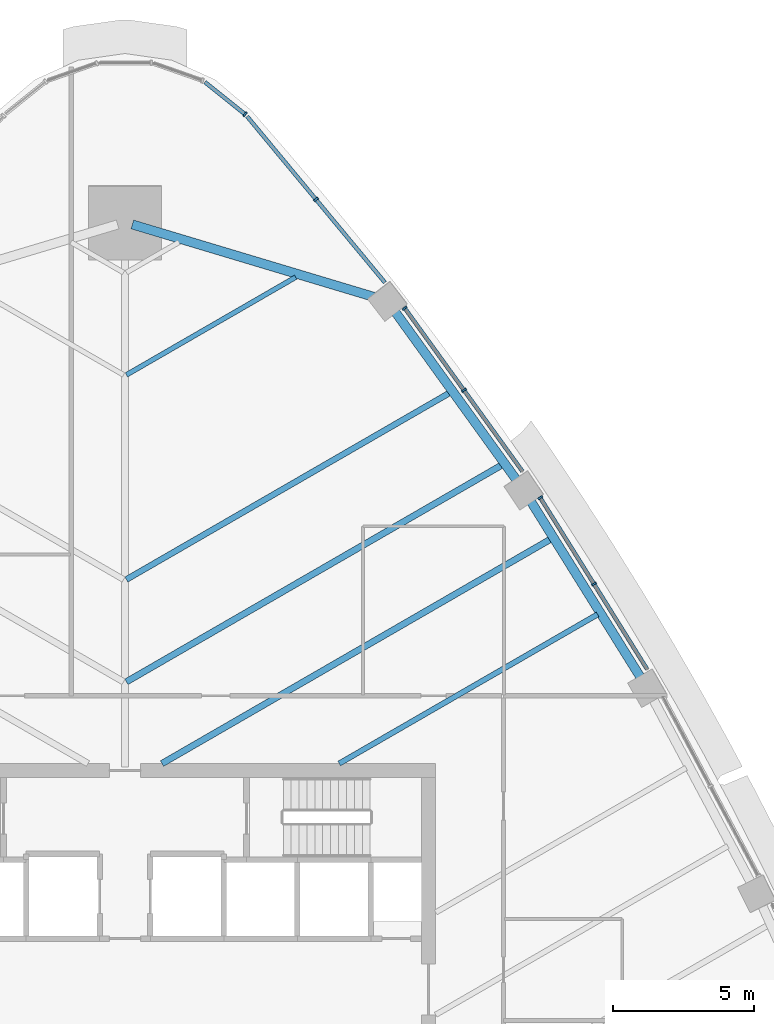
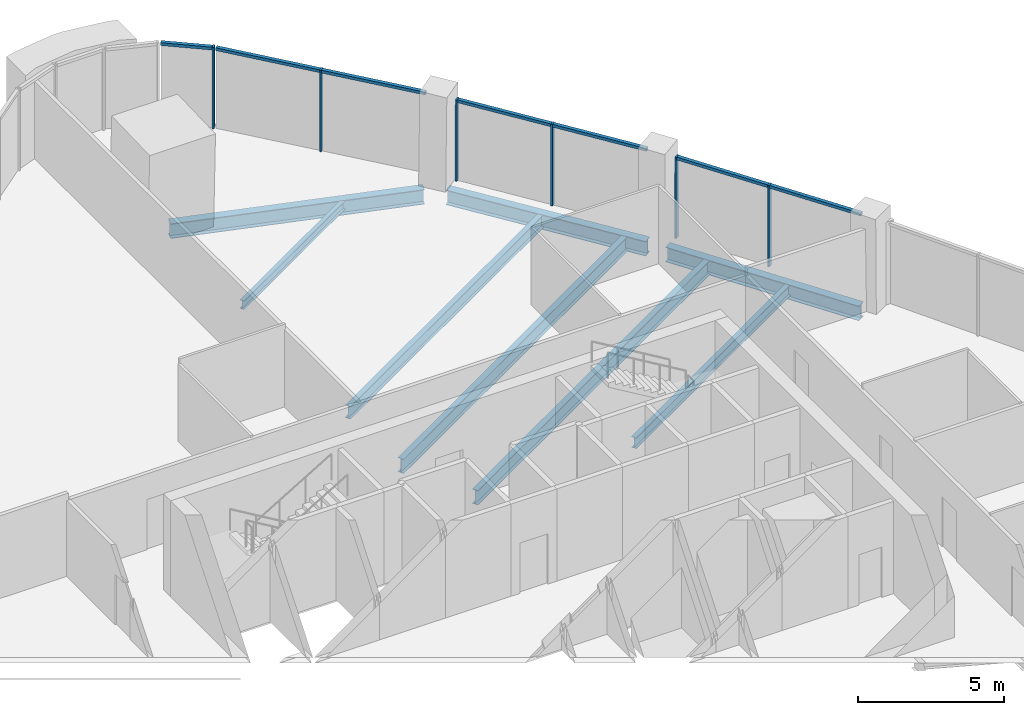
# One storey, part 7 of 16: 13 members, 8 beams, 4 elements without a shape of their own.
"""IFC4 building model written with IfcOpenShell, lengths in metres."""

from ifc_helpers import new_model, si_unit, direction, frame, origin, origin_2d, place, context, subcontext, project, spatial, rectangle, i_section, extrude, material, layer, layer_set, material_profile, profile_set, type_object, element, aggregate, save


model = new_model("IFC4")

# Units and contexts
model_context = context("Model", 3, precision=1e-05, world=origin(), true_north=direction((0.0, 1.0)))
body_context = subcontext(model_context, "Body", "Model", "MODEL_VIEW")
ifc_project = project(units=[si_unit("LENGTHUNIT", "METRE"), si_unit("AREAUNIT", "SQUARE_METRE"), si_unit("VOLUMEUNIT", "CUBIC_METRE"), si_unit("PLANEANGLEUNIT", "RADIAN"), si_unit("MASSUNIT", "GRAM", prefix="KILO")], contexts=[model_context])

# Site, building, storey
site_placement = place(None, origin())
site = spatial("IfcSite", under=ifc_project, at=site_placement, CompositionType="ELEMENT")
building_placement = place(site_placement, origin())
building = spatial("IfcBuilding", under=site, at=building_placement, Name="Sierra Prisma Convention Tower", CompositionType="ELEMENT")
storey_placement = place(building_placement, frame((0.0, 0.0, 181.800048828125)))
storey = spatial("IfcBuildingStorey", under=building, at=storey_placement, Name="L40", CompositionType="ELEMENT", Elevation=181.800048828125)

# Curtain wall, members
ifc_material_1 = material(Name="Aluminium and glass curtain wall", Category="aluminium")
ifc_layer = layer(ifc_material_1, 0.179931640625)
ifc_layer_set = layer_set([ifc_layer], Name="CW-1 Plain shaft curtain wall")
curtain_wall_type = type_object("IfcCurtainWallType", Name="CW-1 Plain shaft curtain wall", PredefinedType="NOTDEFINED", material=ifc_layer_set)
curtain_wall_1_placement = place(storey_placement, origin())
curtain_wall_1 = element("IfcCurtainWall", 1, at=curtain_wall_1_placement, inside=storey, type_object=curtain_wall_type, Name="CW-1 NE4 L40", PredefinedType="NOTDEFINED")
ifc_material_2 = material(Name="Aluminium 6063-T6 bronze anodised", Category="aluminium")
ifc_material_profile_1 = material_profile(ifc_material_2, rectangle(XDim=0.179931640625, YDim=0.070068359375, at=origin_2d()), Name="ALU MULLION 70x180")
ifc_profile_set_1 = profile_set([ifc_material_profile_1], Name="Aluminium 6063-T6 bronze anodised")
member_type_1 = type_object("IfcMemberType", Name="CW mullion bronze", PredefinedType="MULLION", material=ifc_profile_set_1)
member_1_placement = place(storey_placement, frame((16.602294921875, 14.356201171875, 0.0), z_axis=(0.0, 0.0, 1.0), x_axis=(-0.84863505409, -0.528978775538, 0.0)))
member_1 = element("IfcMember", 2, at=member_1_placement, type_object=member_type_1, Name="CW-1 mullion NE4.2", PredefinedType="MULLION", context=body_context, shape_type="SweptSolid", body=[
    extrude(rectangle(XDim=0.179931640625, YDim=0.070068359375, at=origin_2d()), origin(), (0.0, 0.0, 1.0), 3.39990234375),
])
member_2_placement = place(storey_placement, frame((14.698486328125, 17.410400390625, 0.0), z_axis=(0.0, 0.0, 1.0), x_axis=(-0.84863505409, -0.528978775538, 0.0)))
member_2 = element("IfcMember", 3, at=member_2_placement, type_object=member_type_1, Name="CW-1 mullion NE4.3", PredefinedType="MULLION", context=body_context, shape_type="SweptSolid", body=[
    extrude(rectangle(XDim=0.179931640625, YDim=0.070068359375, at=origin_2d()), origin(), (0.0, 0.0, 1.0), 3.39990234375),
])

curtain_wall_2_placement = place(storey_placement, origin())
curtain_wall_2 = element("IfcCurtainWall", 4, at=curtain_wall_2_placement, inside=storey, type_object=curtain_wall_type, Name="CW-1 NE5 L40", PredefinedType="NOTDEFINED")
member_3_placement = place(storey_placement, frame((11.999267578125, 21.21484375, 0.0), z_axis=(0.0, 0.0, 1.0), x_axis=(-0.810967408161, -0.585091328684, 0.0)))
member_3 = element("IfcMember", 5, at=member_3_placement, type_object=member_type_1, Name="CW-1 mullion NE5.2", PredefinedType="MULLION", context=body_context, shape_type="SweptSolid", body=[
    extrude(rectangle(XDim=0.179931640625, YDim=0.070068359375, at=origin_2d()), origin(), (0.0, 0.0, 1.0), 3.39990234375),
])
member_4_placement = place(storey_placement, frame((9.90234375, 24.12109375, 0.0), z_axis=(0.0, 0.0, 1.0), x_axis=(-0.810967408161, -0.585091328684, 0.0)))
member_4 = element("IfcMember", 6, at=member_4_placement, type_object=member_type_1, Name="CW-1 mullion NE5.3", PredefinedType="MULLION", context=body_context, shape_type="SweptSolid", body=[
    extrude(rectangle(XDim=0.179931640625, YDim=0.070068359375, at=origin_2d()), origin(), (0.0, 0.0, 1.0), 3.39990234375),
])

# Curtain wall, member
curtain_wall_3_placement = place(storey_placement, origin())
curtain_wall_3 = element("IfcCurtainWall", 7, at=curtain_wall_3_placement, inside=storey, type_object=curtain_wall_type, Name="CW-1 NE6 L40", PredefinedType="NOTDEFINED")
member_5_placement = place(storey_placement, frame((6.76123046875, 27.96826171875, 0.0), z_axis=(0.0, 0.0, 1.0), x_axis=(-0.769595692797, -0.638531494625, 0.0)))
member_5 = element("IfcMember", 8, at=member_5_placement, type_object=member_type_1, Name="CW-1 mullion NE6.2", PredefinedType="MULLION", context=body_context, shape_type="SweptSolid", body=[
    extrude(rectangle(XDim=0.179931640625, YDim=0.070068359375, at=origin_2d()), origin(), (0.0, 0.0, 1.0), 3.39990234375),
])

curtain_wall_4_placement = place(storey_placement, origin())
curtain_wall_4 = element("IfcCurtainWall", 9, at=curtain_wall_4_placement, inside=storey, type_object=curtain_wall_type, Name="CW-1 N1 L40", PredefinedType="NOTDEFINED")
member_6_placement = place(storey_placement, frame((4.25, 30.98388671875, 0.0), z_axis=(0.0, 0.0, 1.0), x_axis=(-0.62530929436, -0.780377015542, 0.0)))
member_6 = element("IfcMember", 10, at=member_6_placement, type_object=member_type_1, Name="CW-1 mullion N1.1", PredefinedType="MULLION", context=body_context, shape_type="SweptSolid", body=[
    extrude(rectangle(XDim=0.179931640625, YDim=0.070068359375, at=origin_2d()), origin(), (0.0, 0.0, 1.0), 3.39990234375),
])

# Member
ifc_material_3 = material(Name="Aluminium 6063-T6 bronze anodised", Category="aluminium")
ifc_material_profile_2 = material_profile(ifc_material_3, rectangle(XDim=0.139892578125, YDim=0.1201171875, at=origin_2d()), Name="ALU TRANSOM 120x140")
ifc_profile_set_2 = profile_set([ifc_material_profile_2], Name="Aluminium 6063-T6 bronze anodised")
member_type_2 = type_object("IfcMemberType", Name="CW transom bronze", PredefinedType="USERDEFINED", material=ifc_profile_set_2)
member_7_placement = place(storey_placement, frame((18.487548828125, 11.33154296875, 3.33984375), z_axis=(-0.528960046092, 0.848646728408, 0.0), x_axis=(-0.848646728408, -0.528960046092, 0.0)))
member_7 = element("IfcMember", 11, at=member_7_placement, type_object=member_type_2, Name="CW-1 transom NE4.1", ObjectType="TRANSOM", PredefinedType="USERDEFINED", context=body_context, shape_type="SweptSolid", body=[
    extrude(rectangle(XDim=0.139892578125, YDim=0.1201171875, at=origin_2d()), origin(), (0.0, 0.0, 1.0), 3.529052734375),
])

member_8_placement = place(storey_placement, frame((16.583740234375, 14.3857421875, 3.33984375), z_axis=(-0.528960046092, 0.848646728408, 0.0), x_axis=(-0.848646728408, -0.528960046092, 0.0)))
member_8 = element("IfcMember", 12, at=member_8_placement, type_object=member_type_2, Name="CW-1 transom NE4.2", ObjectType="TRANSOM", PredefinedType="USERDEFINED", context=body_context, shape_type="SweptSolid", body=[
    extrude(rectangle(XDim=0.139892578125, YDim=0.1201171875, at=origin_2d()), origin(), (0.0, 0.0, 1.0), 3.529052734375),
])

aggregate(curtain_wall_1, [member_1, member_2, member_7, member_8])

member_9_placement = place(storey_placement, frame((14.075439453125, 18.3369140625, 3.33984375), z_axis=(-0.585043972026, 0.811001572623, 0.0), x_axis=(-0.811001572623, -0.585043972026, 0.0)))
member_9 = element("IfcMember", 13, at=member_9_placement, type_object=member_type_2, Name="CW-1 transom NE5.1", ObjectType="TRANSOM", PredefinedType="USERDEFINED", context=body_context, shape_type="SweptSolid", body=[
    extrude(rectangle(XDim=0.139892578125, YDim=0.1201171875, at=origin_2d()), origin(), (0.0, 0.0, 1.0), 3.513671875),
])

member_10_placement = place(storey_placement, frame((11.978759765625, 21.2431640625, 3.33984375), z_axis=(-0.585089669619, 0.810968605129, 0.0), x_axis=(-0.810968605129, -0.585089669619, 0.0)))
member_10 = element("IfcMember", 14, at=member_10_placement, type_object=member_type_2, Name="CW-1 transom NE5.2", ObjectType="TRANSOM", PredefinedType="USERDEFINED", context=body_context, shape_type="SweptSolid", body=[
    extrude(rectangle(XDim=0.139892578125, YDim=0.1201171875, at=origin_2d()), origin(), (0.0, 0.0, 1.0), 3.513916015625),
])

aggregate(curtain_wall_2, [member_3, member_4, member_9, member_10])

member_11_placement = place(storey_placement, frame((9.200439453125, 25.0283203125, 3.33984375), z_axis=(-0.638565154784, 0.76956776381, 0.0), x_axis=(-0.76956776381, -0.638565154784, 0.0)))
member_11 = element("IfcMember", 15, at=member_11_placement, type_object=member_type_2, Name="CW-1 transom NE6.1", ObjectType="TRANSOM", PredefinedType="USERDEFINED", context=body_context, shape_type="SweptSolid", body=[
    extrude(rectangle(XDim=0.139892578125, YDim=0.1201171875, at=origin_2d()), origin(), (0.0, 0.0, 1.0), 3.78515625),
])

member_12_placement = place(storey_placement, frame((6.73876953125, 27.9951171875, 3.33984375), z_axis=(-0.638495255418, 0.76962575893, 0.0), x_axis=(-0.76962575893, -0.638495255418, 0.0)))
member_12 = element("IfcMember", 16, at=member_12_placement, type_object=member_type_2, Name="CW-1 transom NE6.2", ObjectType="TRANSOM", PredefinedType="USERDEFINED", context=body_context, shape_type="SweptSolid", body=[
    extrude(rectangle(XDim=0.139892578125, YDim=0.1201171875, at=origin_2d()), origin(), (0.0, 0.0, 1.0), 3.78515625),
])

aggregate(curtain_wall_3, [member_5, member_11, member_12])

member_13_placement = place(storey_placement, frame((4.22265625, 31.005859375, 3.33984375), z_axis=(-0.780401084776, 0.625279255118, 0.0), x_axis=(-0.625279255118, -0.780401084776, 0.0)))
member_13 = element("IfcMember", 17, at=member_13_placement, type_object=member_type_2, Name="CW-1 transom N1.1", ObjectType="TRANSOM", PredefinedType="USERDEFINED", context=body_context, shape_type="SweptSolid", body=[
    extrude(rectangle(XDim=0.139892578125, YDim=0.1201171875, at=origin_2d()), origin(), (0.0, 0.0, 1.0), 1.783203125),
])

aggregate(curtain_wall_4, [member_6, member_13])

# Beams
ifc_material_4 = material(Name="Steel ASTM A992 Gr 50", Category="steel")
ifc_material_profile_3 = material_profile(ifc_material_4, i_section(OverallWidth=0.172119140625, OverallDepth=0.35791015625, WebThickness=0.0078125, FlangeThickness=0.01318359375, at=origin_2d()), Name="W360x57")
ifc_profile_set_3 = profile_set([ifc_material_profile_3], Name="Steel ASTM A992 Gr 50")
beam_type_1 = type_object("IfcBeamType", Name="Floor joist W360x57", PredefinedType="JOIST", material=ifc_profile_set_3)
beam_1_placement = place(storey_placement, frame((6.04150390625, 25.2177734375, -0.3291015625), z_axis=(-0.866025723269, -0.499999446636, 0.0), x_axis=(0.499999446636, -0.866025723269, 0.0)))
element("IfcBeam", 18, at=beam_1_placement, inside=storey, type_object=beam_type_1, Name="Floor joist L40 NE14", PredefinedType="JOIST", context=body_context, shape_type="SweptSolid", body=[
    extrude(i_section(OverallWidth=0.172119140625, OverallDepth=0.35791015625, WebThickness=0.0078125, FlangeThickness=0.01318359375, at=origin_2d()), origin(), (0.0, 0.0, 1.0), 6.91748046875),
])
ifc_material_5 = material(Name="Steel ASTM A992 Gr 50", Category="steel")
ifc_material_profile_4 = material_profile(ifc_material_5, i_section(OverallWidth=0.18994140625, OverallDepth=0.45703125, WebThickness=0.009033203125, FlangeThickness=0.014404296875, at=origin_2d()), Name="W460x74")
ifc_profile_set_4 = profile_set([ifc_material_profile_4], Name="Steel ASTM A992 Gr 50")
beam_type_2 = type_object("IfcBeamType", Name="Floor joist W460x74", PredefinedType="JOIST", material=ifc_profile_set_4)
beam_2_placement = place(storey_placement, frame((16.728271484375, 13.27978515625, -0.378662109375), z_axis=(-0.86602349192, -0.500003311431, 0.0), x_axis=(0.500003311431, -0.86602349192, 0.0)))
element("IfcBeam", 19, at=beam_2_placement, inside=storey, type_object=beam_type_2, Name="Floor joist L40 NE09", PredefinedType="JOIST", context=body_context, shape_type="SweptSolid", body=[
    extrude(i_section(OverallWidth=0.18994140625, OverallDepth=0.45703125, WebThickness=0.009033203125, FlangeThickness=0.014404296875, at=origin_2d()), origin(), (0.0, 0.0, 1.0), 10.5595703125),
])
ifc_material_6 = material(Name="Steel ASTM A992 Gr 50", Category="steel")
ifc_material_profile_5 = material_profile(ifc_material_6, i_section(OverallWidth=0.208984375, OverallDepth=0.532958984375, WebThickness=0.01025390625, FlangeThickness=0.015625, at=origin_2d()), Name="W530x92")
ifc_profile_set_5 = profile_set([ifc_material_profile_5], Name="Steel ASTM A992 Gr 50")
beam_type_3 = type_object("IfcBeamType", Name="Floor joist W530x92", PredefinedType="JOIST", material=ifc_profile_set_5)
beam_3_placement = place(storey_placement, frame((11.4951171875, 21.123046875, -0.41650390625), z_axis=(-0.866024373554, -0.500001784407, 0.0), x_axis=(0.500001784407, -0.866024373554, 0.0)))
element("IfcBeam", 20, at=beam_3_placement, inside=storey, type_object=beam_type_3, Name="Floor joist L40 NE12", PredefinedType="JOIST", context=body_context, shape_type="SweptSolid", body=[
    extrude(i_section(OverallWidth=0.208984375, OverallDepth=0.532958984375, WebThickness=0.01025390625, FlangeThickness=0.015625, at=origin_2d()), origin(), (0.0, 0.0, 1.0), 13.21484375),
])
ifc_material_7 = material(Name="Steel ASTM A992 Gr 50", Category="steel")
ifc_material_profile_6 = material_profile(ifc_material_7, i_section(OverallWidth=0.22802734375, OverallDepth=0.60302734375, WebThickness=0.010498046875, FlangeThickness=0.014892578125, at=origin_2d()), Name="W610x101")
ifc_profile_set_6 = profile_set([ifc_material_profile_6], Name="Steel ASTM A992 Gr 50")
beam_type_4 = type_object("IfcBeamType", Name="Floor joist W610x101", PredefinedType="JOIST", material=ifc_profile_set_6)
beam_4_placement = place(storey_placement, frame((15.068359375, 15.94287109375, -0.45166015625), z_axis=(-0.86602716741, -0.499996945299, 0.0), x_axis=(0.499996945299, -0.86602716741, 0.0)))
element("IfcBeam", 21, at=beam_4_placement, inside=storey, type_object=beam_type_4, Name="Floor joist L40 NE10", PredefinedType="JOIST", context=body_context, shape_type="SweptSolid", body=[
    extrude(i_section(OverallWidth=0.22802734375, OverallDepth=0.60302734375, WebThickness=0.010498046875, FlangeThickness=0.014892578125, at=origin_2d()), origin(), (0.0, 0.0, 1.0), 15.8857421875),
])
beam_5_placement = place(storey_placement, frame((13.339599609375, 18.56640625, -0.45166015625), z_axis=(-0.866023698658, -0.500002953354, 0.0), x_axis=(0.500002953354, -0.866023698658, 0.0)))
element("IfcBeam", 22, at=beam_5_placement, inside=storey, type_object=beam_type_4, Name="Floor joist L40 NE11", PredefinedType="JOIST", context=body_context, shape_type="SweptSolid", body=[
    extrude(i_section(OverallWidth=0.22802734375, OverallDepth=0.60302734375, WebThickness=0.010498046875, FlangeThickness=0.014892578125, at=origin_2d()), origin(), (0.0, 0.0, 1.0), 15.3447265625),
])
ifc_material_8 = material(Name="Steel ASTM A992 Gr 50", Category="steel")
ifc_material_profile_7 = material_profile(ifc_material_8, i_section(OverallWidth=0.324951171875, OverallDepth=0.615966796875, WebThickness=0.013916015625, FlangeThickness=0.021484375, at=origin_2d()), Name="W610x174")
ifc_profile_set_7 = profile_set([ifc_material_profile_7], Name="Steel ASTM A992 Gr 50")
beam_type_5 = type_object("IfcBeamType", Name="Spandrel beam W610x174", PredefinedType="BEAM", material=ifc_profile_set_7)
for number, where, z_axis, x_axis, name in (
    (23, (18.28466796875, 10.99560546875, -0.4580078125), (-0.528968021834, 0.84864175709, 0.0), (-0.84864175709, -0.528968021834, 0.0), "Spandrel L40-10"),
    (24, (13.89599609375, 17.988037109375, -0.4580078125), (-0.585113528379, 0.810951391211, 0.0), (-0.810951391211, -0.585113528379, 0.0), "Spandrel L40-11"),
):
    element("IfcBeam", number, at=place(storey_placement, frame(where, z_axis=z_axis, x_axis=x_axis)), inside=storey, type_object=beam_type_5, Name=name, PredefinedType="BEAM", context=body_context, shape_type="SweptSolid", body=[
        extrude(i_section(OverallWidth=0.324951171875, OverallDepth=0.615966796875, WebThickness=0.013916015625, FlangeThickness=0.021484375, at=origin_2d()), origin(), (0.0, 0.0, 1.0), 7.495849609375),
    ])
beam_6_placement = place(storey_placement, frame((8.81396484375, 24.517578125, -0.4580078125), z_axis=(-0.957819513313, 0.287370457629, 0.0), x_axis=(-0.287370457629, -0.957819513313, 0.0)))
element("IfcBeam", 25, at=beam_6_placement, inside=storey, type_object=beam_type_5, Name="Spandrel L40-12", PredefinedType="BEAM", context=body_context, shape_type="SweptSolid", body=[
    extrude(i_section(OverallWidth=0.324951171875, OverallDepth=0.615966796875, WebThickness=0.013916015625, FlangeThickness=0.021484375, at=origin_2d()), origin(), (0.0, 0.0, 1.0), 8.9306640625),
])

save(model, "model.ifc")
